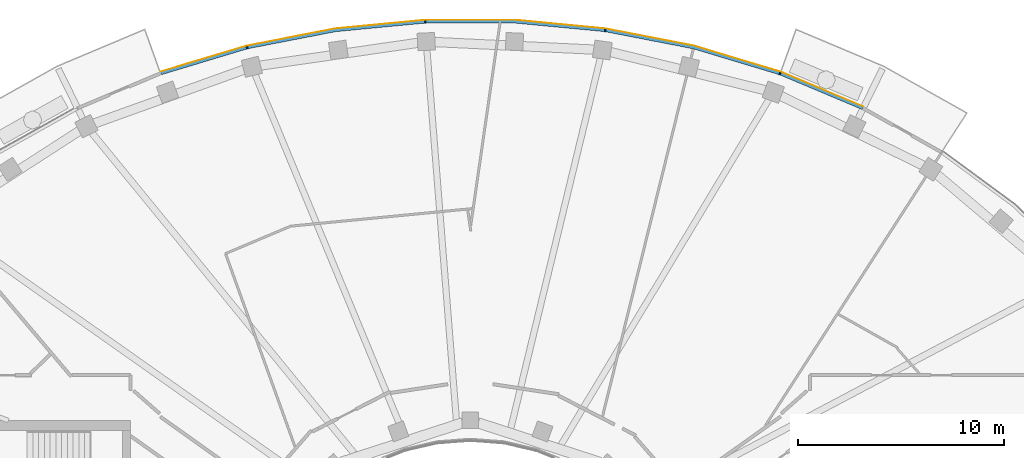
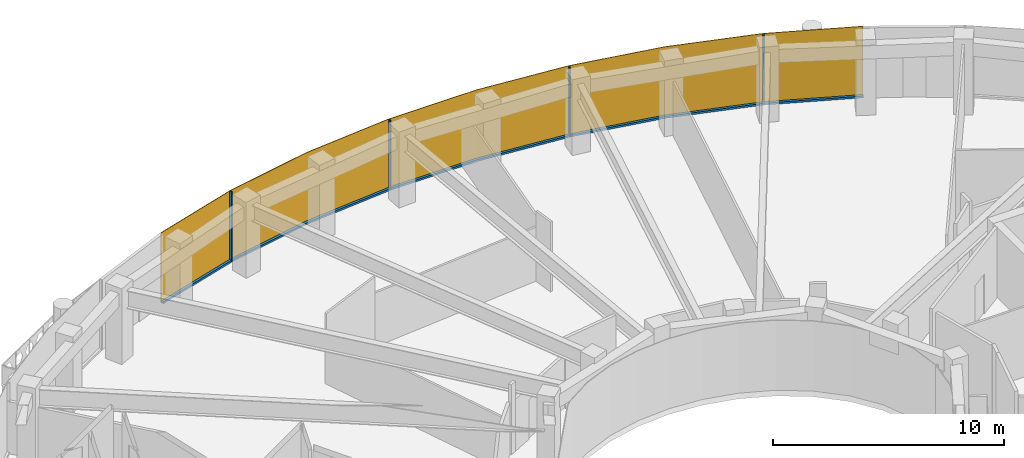
# One storey, part 15 of 18: 9 members, 1 curtain wall.
"""IFC4 building model written with IfcOpenShell, lengths in metres."""

from ifc_helpers import new_model, si_unit, direction, frame, origin, origin_2d, place, context, subcontext, project, spatial, polyline, rectangle, outline, extrude, material, layer, layer_set, material_profile, profile_set, type_object, element, aggregate, save


model = new_model("IFC4")

# Units and contexts
model_context = context("Model", 3, precision=1e-05, world=origin(), true_north=direction((0.0, 1.0)))
body_context = subcontext(model_context, "Body", "Model", "MODEL_VIEW")
ifc_project = project(units=[si_unit("LENGTHUNIT", "METRE"), si_unit("AREAUNIT", "SQUARE_METRE"), si_unit("VOLUMEUNIT", "CUBIC_METRE"), si_unit("PLANEANGLEUNIT", "RADIAN"), si_unit("MASSUNIT", "GRAM", prefix="KILO")], contexts=[model_context])

# Member
ifc_material_1 = material(Name="Aluminium 6063-T6 black anodised", Category="aluminium")
ifc_material_profile = material_profile(ifc_material_1, rectangle(XDim=0.1201171875, YDim=0.06005859375, at=origin_2d()), Name="120x60")
ifc_profile_set = profile_set([ifc_material_profile], Name="Aluminium 6063-T6 black anodised")
member_type_1 = type_object("IfcMemberType", Name="ENV-MULLION-A-120", PredefinedType="MULLION", material=ifc_profile_set)
site_placement = place(None, origin())
building_placement = place(site_placement, origin())
storey_placement = place(building_placement, frame((0.0, 0.0, 319.0)))
member_1_placement = place(storey_placement, frame((15.0341796875, 25.34375, 0.0), z_axis=(0.0, 0.0, 1.0), x_axis=(-0.338379256581, -0.941009818608, 0.0)))
member_1 = element("IfcMember", 1, at=member_1_placement, type_object=member_type_1, Name="Mullion A radial 09", PredefinedType="MULLION", context=body_context, shape_type="SweptSolid", body=[
    extrude(rectangle(XDim=0.1201171875, YDim=0.06005859375, at=origin_2d()), origin(), (0.0, 0.0, 1.0), 3.699951171875),
])

member_2_placement = place(storey_placement, frame((6.54638671875, 27.440185546875, 0.0), z_axis=(0.0, 0.0, 1.0), x_axis=(-0.143082012705, -0.989710835366, 0.0)))
member_2 = element("IfcMember", 2, at=member_2_placement, type_object=member_type_1, Name="Mullion A radial 11", PredefinedType="MULLION", context=body_context, shape_type="SweptSolid", body=[
    extrude(rectangle(XDim=0.1201171875, YDim=0.06005859375, at=origin_2d()), origin(), (0.0, 0.0, 1.0), 3.699951171875),
])

member_3_placement = place(storey_placement, frame((-2.188720703125, 27.856201171875, 0.0), z_axis=(0.0, 0.0, 1.0), x_axis=(0.047557873581, -0.998868484166, 0.0)))
member_3 = element("IfcMember", 3, at=member_3_placement, type_object=member_type_1, Name="Mullion A radial 13", PredefinedType="MULLION", context=body_context, shape_type="SweptSolid", body=[
    extrude(rectangle(XDim=0.1201171875, YDim=0.06005859375, at=origin_2d()), origin(), (0.0, 0.0, 1.0), 3.699951171875),
])

member_4_placement = place(storey_placement, frame((-10.84326171875, 26.60498046875, 0.0), z_axis=(0.0, 0.0, 1.0), x_axis=(0.239799081534, -0.970822538106, 0.0)))
member_4 = element("IfcMember", 4, at=member_4_placement, type_object=member_type_1, Name="Mullion A radial 15", PredefinedType="MULLION", context=body_context, shape_type="SweptSolid", body=[
    extrude(rectangle(XDim=0.1201171875, YDim=0.06005859375, at=origin_2d()), origin(), (0.0, 0.0, 1.0), 3.699951171875),
])

ifc_material_2 = material(Name="Aluminium 6063-T6 black anodised", Category="aluminium")
member_type_2 = type_object("IfcMemberType", Name="ENV-TRANSOM-A", PredefinedType="USERDEFINED", material=ifc_material_2)
member_5_placement = place(storey_placement, origin())
member_5 = element("IfcMember", 5, at=member_5_placement, type_object=member_type_2, Name="Transom A radial 08-09", ObjectType="TRANSOM", PredefinedType="USERDEFINED", context=body_context, shape_type="SweptSolid", body=[
    extrude(outline(polyline([(19.07568359375, 23.709228515625), (15.080322265625, 25.389404296875), (15.03955078125, 25.276123046875), (19.02294921875, 23.601318359375), (19.07568359375, 23.709228515625)])), origin(), (0.0, 0.0, 1.0), 0.10009765625),
])

member_6_placement = place(storey_placement, origin())
member_6 = element("IfcMember", 6, at=member_6_placement, type_object=member_type_2, Name="Transom A radial 09-11", ObjectType="TRANSOM", PredefinedType="USERDEFINED", context=body_context, shape_type="SweptSolid", body=[
    extrude(outline(polyline([(15.027587890625, 25.408203125), (10.857666015625, 26.6630859375), (6.58251953125, 27.494140625), (6.5654296875, 27.375244140625), (10.828857421875, 26.54638671875), (14.987060546875, 25.295166015625), (15.027587890625, 25.408203125)])), origin(), (0.0, 0.0, 1.0), 0.10009765625),
])

member_7_placement = place(storey_placement, origin())
member_7 = element("IfcMember", 7, at=member_7_placement, type_object=member_type_2, Name="Transom A radial 11-13", ObjectType="TRANSOM", PredefinedType="USERDEFINED", context=body_context, shape_type="SweptSolid", body=[
    extrude(outline(polyline([(6.527099609375, 27.502197265625), (2.191650390625, 27.916015625), (-2.163818359375, 27.916015625), (-2.157958984375, 27.7958984375), (2.185791015625, 27.7958984375), (6.510009765625, 27.38330078125), (6.527099609375, 27.502197265625)])), origin(), (0.0, 0.0, 1.0), 0.10009765625),
])

member_8_placement = place(storey_placement, origin())
member_8 = element("IfcMember", 8, at=member_8_placement, type_object=member_type_2, Name="Transom A radial 13-15", ObjectType="TRANSOM", PredefinedType="USERDEFINED", context=body_context, shape_type="SweptSolid", body=[
    extrude(outline(polyline([(-2.219482421875, 27.913330078125), (-6.55517578125, 27.49951171875), (-10.830078125, 26.66845703125), (-10.80126953125, 26.552001953125), (-6.537841796875, 27.380615234375), (-2.2138671875, 27.793212890625), (-2.219482421875, 27.913330078125)])), origin(), (0.0, 0.0, 1.0), 0.10009765625),
])

member_9_placement = place(storey_placement, origin())
member_9 = element("IfcMember", 9, at=member_9_placement, type_object=member_type_2, Name="Transom A radial 15-16", ObjectType="TRANSOM", PredefinedType="USERDEFINED", context=body_context, shape_type="SweptSolid", body=[
    extrude(outline(polyline([(-10.884521484375, 26.655029296875), (-15.035400390625, 25.406005859375), (-14.99462890625, 25.292724609375), (-10.855712890625, 26.53857421875), (-10.884521484375, 26.655029296875)])), origin(), (0.0, 0.0, 1.0), 0.10009765625),
])

# Site, building, storey
site = spatial("IfcSite", under=ifc_project, at=site_placement, CompositionType="ELEMENT")
building = spatial("IfcBuilding", under=site, at=building_placement, Name="Noorbagh Ring Tower", CompositionType="ELEMENT")
storey = spatial("IfcBuildingStorey", under=building, at=storey_placement, Name="L69", CompositionType="ELEMENT", Elevation=319.0)

# Curtain wall
ifc_material_3 = material(Name="Glass dark tinted laminated", Category="glass")
ifc_layer = layer(ifc_material_3, 0.031982421875)
ifc_layer_set = layer_set([ifc_layer], Name="Glass dark tinted laminated")
curtain_wall_type = type_object("IfcCurtainWallType", Name="ENV-CW-A", PredefinedType="NOTDEFINED", material=ifc_layer_set)
curtain_wall_placement = place(storey_placement, origin())
curtain_wall = element("IfcCurtainWall", 10, at=curtain_wall_placement, inside=storey, type_object=curtain_wall_type, Name="Curtain wall A R08", PredefinedType="NOTDEFINED", context=body_context, shape_type="SweptSolid", body=[
    extrude(outline(polyline([(19.08984375, 23.738037109375), (15.065185546875, 25.430419921875), (10.865234375, 26.6943359375), (6.559814453125, 27.53125), (2.193115234375, 27.947998046875), (-2.193115234375, 27.947998046875), (-6.559814453125, 27.53125), (-10.865234375, 26.6943359375), (-15.046142578125, 25.43603515625), (-15.035400390625, 25.406005859375), (-10.857666015625, 26.6630859375), (-6.55517578125, 27.49951171875), (-2.191650390625, 27.916015625), (2.191650390625, 27.916015625), (6.55517578125, 27.49951171875), (10.857666015625, 26.6630859375), (15.054443359375, 25.400146484375), (19.07568359375, 23.709228515625), (19.08984375, 23.738037109375)])), origin(), (0.0, 0.0, 1.0), 3.699951171875),
])

aggregate(curtain_wall, [member_1, member_2, member_3, member_4, member_5, member_6, member_7, member_8, member_9])

save(model, "model.ifc")
